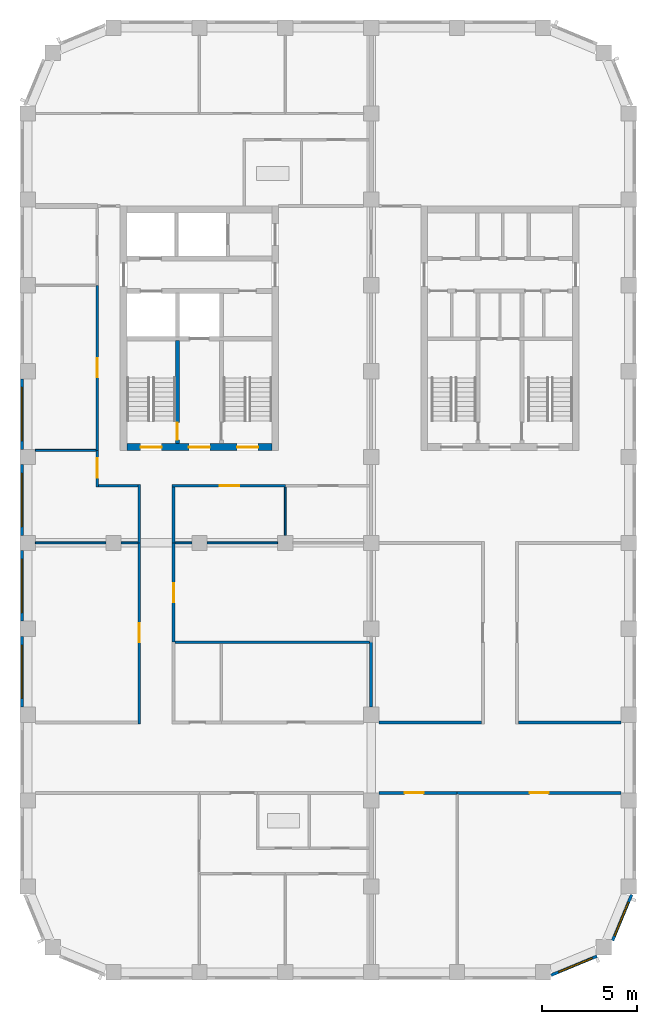
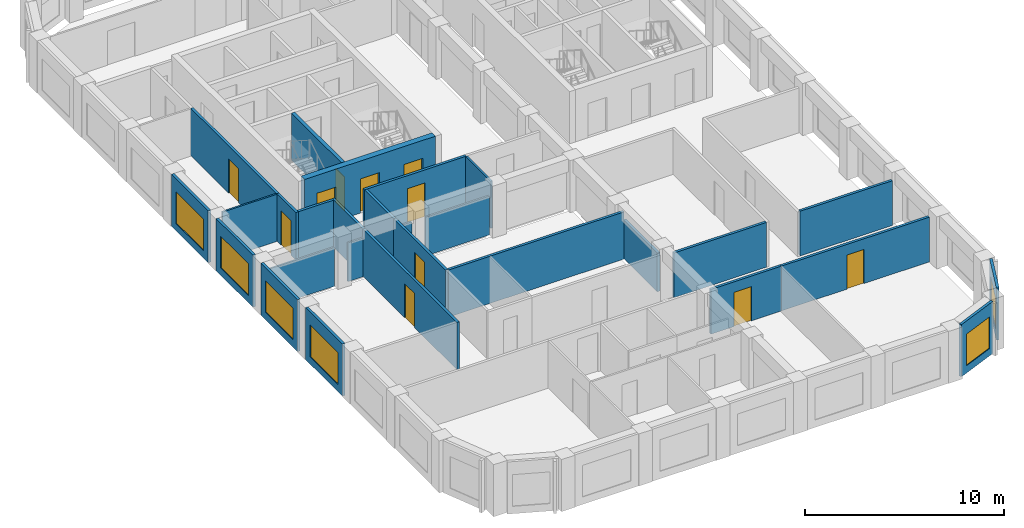
# One storey, part 3 of 9: 28 walls, 11 doors, 6 windows, 17 openings.
"""IFC4 building model written with IfcOpenShell, lengths in metres."""

from ifc_helpers import new_model, si_unit, direction, frame, frame_2d, origin, place, context, subcontext, project, spatial, rectangle, extrude, material, layer, layer_set, type_object, element, fill, save


model = new_model("IFC4")

# Units and contexts
model_context = context("Model", 3, precision=1e-05, world=origin(), true_north=direction((0.0, 1.0)))
body_context = subcontext(model_context, "Body", "Model", "MODEL_VIEW")
ifc_project = project(units=[si_unit("LENGTHUNIT", "METRE"), si_unit("AREAUNIT", "SQUARE_METRE"), si_unit("VOLUMEUNIT", "CUBIC_METRE"), si_unit("PLANEANGLEUNIT", "RADIAN"), si_unit("MASSUNIT", "GRAM", prefix="KILO")], contexts=[model_context])

# Site, building, storey
site_placement = place(None, origin())
site = spatial("IfcSite", under=ifc_project, at=site_placement, CompositionType="ELEMENT")
building_placement = place(site_placement, origin())
building = spatial("IfcBuilding", under=site, at=building_placement, Name="Girih Gate Residences", CompositionType="ELEMENT")
storey_placement = place(building_placement, frame((0.0, 0.0, 189.10009765625)))
storey = spatial("IfcBuildingStorey", under=building, at=storey_placement, Name="L52", CompositionType="ELEMENT", Elevation=189.10009765625)

# Wall, opening, door
ifc_material_1 = material(Name="Gypsum board on steel studs", Category="steel")
ifc_layer_1 = layer(ifc_material_1, 0.14990234375)
ifc_layer_set_1 = layer_set([ifc_layer_1], Name="Compartment wall 150 mm")
wall_type_1 = type_object("IfcWallType", Name="Compartment wall 150 mm", PredefinedType="PARTITIONING", material=ifc_layer_set_1)
wall_1_placement = place(storey_placement, frame((7.64990234375, 22.5, 0.0), z_axis=(0.0, 0.0, 1.0), x_axis=(0.0, -1.0, 0.0)))
wall_1 = element("IfcWall", 1, at=wall_1_placement, inside=storey, type_object=wall_type_1, Name="L52 partition", PredefinedType="PARTITIONING", context=body_context, shape_type="SweptSolid", body=[
    extrude(rectangle(XDim=5.199951171875, YDim=0.14990234375, at=frame_2d((2.60009765625, 0.0))), origin(), (0.0, 0.0, 1.0), 2.89990234375),
])
opening_1_placement = place(wall_1_placement, frame((2.10009765625, 0.0, 0.0)))
opening_1 = element("IfcOpeningElement", 2, at=opening_1_placement, cuts=wall_1, Name="Opening A52-013", PredefinedType="OPENING", context=body_context, shape_type="SweptSolid", body=[
    extrude(rectangle(XDim=1.0, YDim=2.10009765625, at=frame_2d((0.5, 1.050048828125))), frame((0.0, 0.0849609375, 0.0), z_axis=(0.0, -1.0, 0.0), x_axis=(1.0, 0.0, 0.0)), (0.0, 0.0, 1.0), 0.169921875),
])
ifc_material_2 = material(Name="Timber, fire-rated core", Category="wood")
door_type_1 = type_object("IfcDoorType", Name="Amenity room door 1000x2100 FD30S", OperationType="NOTDEFINED", PredefinedType="DOOR", material=ifc_material_2)
door_1_placement = place(opening_1_placement, origin())
door_1 = element("IfcDoor", 3, at=door_1_placement, inside=storey, type_object=door_type_1, Name="Door A52-013", OperationType="SINGLE_SWING_RIGHT", OverallHeight=2.10009765625, OverallWidth=1.0, PredefinedType="DOOR", context=body_context, shape_type="SweptSolid", body=[
    extrude(rectangle(XDim=1.0, YDim=2.10009765625, at=frame_2d((0.5, 1.050048828125))), frame((0.0, 0.02490234375, 0.0), z_axis=(0.0, -1.0, 0.0), x_axis=(1.0, 0.0, 0.0)), (0.0, 0.0, 1.0), 0.050048828125),
])
fill(opening_1, door_1)

# Wall
wall_2_placement = place(storey_placement, frame((7.72509765625, 17.300048828125, 0.0), z_axis=(0.0, 0.0, 1.0), x_axis=(1.0, 0.0, 0.0)))
element("IfcWall", 4, at=wall_2_placement, inside=storey, type_object=wall_type_1, Name="L52 partition", PredefinedType="PARTITIONING", context=body_context, shape_type="SweptSolid", body=[
    extrude(rectangle(XDim=10.199951171875, YDim=0.14990234375, at=frame_2d((5.10009765625, 0.0))), origin(), (0.0, 0.0, 1.0), 2.89990234375),
])

# Wall, opening, door
wall_3_placement = place(storey_placement, frame((22.5, 9.39990234375, 0.0), z_axis=(0.0, 0.0, 1.0), x_axis=(-1.0, 0.0, 0.0)))
wall_3 = element("IfcWall", 5, at=wall_3_placement, inside=storey, type_object=wall_type_1, Name="L52 partition", PredefinedType="PARTITIONING", context=body_context, shape_type="SweptSolid", body=[
    extrude(rectangle(XDim=4.10009765625, YDim=0.14990234375, at=frame_2d((2.050048828125, 0.0))), origin(), (0.0, 0.0, 1.0), 2.75),
])
opening_2_placement = place(wall_3_placement, frame((1.75, 0.0, 0.0)))
opening_2 = element("IfcOpeningElement", 6, at=opening_2_placement, cuts=wall_3, Name="Opening A52-016", PredefinedType="OPENING", context=body_context, shape_type="SweptSolid", body=[
    extrude(rectangle(XDim=1.0, YDim=2.10009765625, at=frame_2d((0.5, 1.050048828125))), frame((0.0, 0.0849609375, 0.0), z_axis=(0.0, -1.0, 0.0), x_axis=(1.0, 0.0, 0.0)), (0.0, 0.0, 1.0), 0.169921875),
])
door_2_placement = place(opening_2_placement, origin())
door_2 = element("IfcDoor", 7, at=door_2_placement, inside=storey, type_object=door_type_1, Name="Door A52-016", OperationType="SINGLE_SWING_RIGHT", OverallHeight=2.10009765625, OverallWidth=1.0, PredefinedType="DOOR", context=body_context, shape_type="SweptSolid", body=[
    extrude(rectangle(XDim=1.0, YDim=2.10009765625, at=frame_2d((0.5, 1.050048828125))), frame((0.0, 0.02490234375, 0.0), z_axis=(0.0, -1.0, 0.0), x_axis=(1.0, 0.0, 0.0)), (0.0, 0.0, 1.0), 0.050048828125),
])
fill(opening_2, door_2)

wall_4_placement = place(storey_placement, frame((31.10009765625, 9.39990234375, 0.0), z_axis=(0.0, 0.0, 1.0), x_axis=(-1.0, 0.0, 0.0)))
wall_4 = element("IfcWall", 8, at=wall_4_placement, inside=storey, type_object=wall_type_1, Name="L52 partition", PredefinedType="PARTITIONING", context=body_context, shape_type="SweptSolid", body=[
    extrude(rectangle(XDim=8.60009765625, YDim=0.14990234375, at=frame_2d((4.300048828125, 0.0))), origin(), (0.0, 0.0, 1.0), 2.75),
])
opening_3_placement = place(wall_4_placement, frame((3.800048828125, 0.0, 0.0)))
opening_3 = element("IfcOpeningElement", 9, at=opening_3_placement, cuts=wall_4, Name="Opening A52-017", PredefinedType="OPENING", context=body_context, shape_type="SweptSolid", body=[
    extrude(rectangle(XDim=1.0, YDim=2.10009765625, at=frame_2d((0.5, 1.050048828125))), frame((0.0, 0.0849609375, 0.0), z_axis=(0.0, -1.0, 0.0), x_axis=(1.0, 0.0, 0.0)), (0.0, 0.0, 1.0), 0.169921875),
])
door_3_placement = place(opening_3_placement, origin())
door_3 = element("IfcDoor", 10, at=door_3_placement, inside=storey, type_object=door_type_1, Name="Door A52-017", OperationType="SINGLE_SWING_RIGHT", OverallHeight=2.10009765625, OverallWidth=1.0, PredefinedType="DOOR", context=body_context, shape_type="SweptSolid", body=[
    extrude(rectangle(XDim=1.0, YDim=2.10009765625, at=frame_2d((0.5, 1.050048828125))), frame((0.0, 0.02490234375, 0.0), z_axis=(0.0, -1.0, 0.0), x_axis=(1.0, 0.0, 0.0)), (0.0, 0.0, 1.0), 0.050048828125),
])
fill(opening_3, door_3)

# Walls
for number, where, z_axis, x_axis, name in (
    (11, (18.39990234375, 13.10009765625, 0.0), (0.0, 0.0, 1.0), (1.0, 0.0, 0.0), "L52 partition"),
    (12, (25.72509765625, 13.10009765625, 0.0), (0.0, 0.0, 1.0), (1.0, 0.0, 0.0), "L52 partition"),
):
    element("IfcWall", number, at=place(storey_placement, frame(where, z_axis=z_axis, x_axis=x_axis)), inside=storey, type_object=wall_type_1, Name=name, PredefinedType="PARTITIONING", context=body_context, shape_type="SweptSolid", body=[
        extrude(rectangle(XDim=5.375, YDim=0.14990234375, at=frame_2d((2.6875, 0.0))), origin(), (0.0, 0.0, 1.0), 2.75),
    ])
wall_5_placement = place(storey_placement, frame((18.0, 13.89990234375, 0.0), z_axis=(0.0, 0.0, 1.0), x_axis=(0.0, 1.0, 0.0)))
element("IfcWall", 13, at=wall_5_placement, inside=storey, type_object=wall_type_1, Name="L52 partition", PredefinedType="PARTITIONING", context=body_context, shape_type="SweptSolid", body=[
    extrude(rectangle(XDim=3.400146484375, YDim=0.14990234375, at=frame_2d((1.7001953125, 0.0))), origin(), (0.0, 0.0, 1.0), 2.3798828125),
])
wall_6_placement = place(storey_placement, frame((5.85009765625, 22.5, 0.0), z_axis=(0.0, 0.0, 1.0), x_axis=(0.0, 1.0, 0.0)))
element("IfcWall", 14, at=wall_6_placement, inside=storey, type_object=wall_type_1, Name="L52 partition", PredefinedType="PARTITIONING", context=body_context, shape_type="SweptSolid", body=[
    extrude(rectangle(XDim=3.074951171875, YDim=0.14990234375, at=frame_2d((1.53759765625, 0.0))), origin(), (0.0, 0.0, 1.0), 2.89990234375),
])
wall_7_placement = place(storey_placement, frame((3.72509765625, 25.5, 0.0), z_axis=(0.0, 0.0, 1.0), x_axis=(1.0, 0.0, 0.0)))
element("IfcWall", 15, at=wall_7_placement, inside=storey, type_object=wall_type_1, Name="L52 partition", PredefinedType="PARTITIONING", context=body_context, shape_type="SweptSolid", body=[
    extrude(rectangle(XDim=2.0498046875, YDim=0.14990234375, at=frame_2d((1.02490234375, 0.0))), origin(), (0.0, 0.0, 1.0), 2.89990234375),
])

# Wall, opening, door
wall_8_placement = place(storey_placement, frame((3.64990234375, 25.425048828125, 0.0), z_axis=(0.0, 0.0, 1.0), x_axis=(0.0, 1.0, 0.0)))
wall_8 = element("IfcWall", 16, at=wall_8_placement, inside=storey, type_object=wall_type_1, Name="L52 partition", PredefinedType="PARTITIONING", context=body_context, shape_type="SweptSolid", body=[
    extrude(rectangle(XDim=1.925048828125, YDim=0.14990234375, at=frame_2d((0.96240234375, 0.0))), origin(), (0.0, 0.0, 1.0), 2.89990234375),
])
opening_4_placement = place(wall_8_placement, frame((0.5, 0.0, 0.0)))
opening_4 = element("IfcOpeningElement", 17, at=opening_4_placement, cuts=wall_8, Name="Opening A52-022", PredefinedType="OPENING", context=body_context, shape_type="SweptSolid", body=[
    extrude(rectangle(XDim=1.0, YDim=2.10009765625, at=frame_2d((0.5, 1.050048828125))), frame((0.0, 0.0849609375, 0.0), z_axis=(0.0, -1.0, 0.0), x_axis=(1.0, 0.0, 0.0)), (0.0, 0.0, 1.0), 0.169921875),
])
door_4_placement = place(opening_4_placement, origin())
door_4 = element("IfcDoor", 18, at=door_4_placement, inside=storey, type_object=door_type_1, Name="Door A52-022", OperationType="SINGLE_SWING_RIGHT", OverallHeight=2.10009765625, OverallWidth=1.0, PredefinedType="DOOR", context=body_context, shape_type="SweptSolid", body=[
    extrude(rectangle(XDim=1.0, YDim=2.10009765625, at=frame_2d((0.5, 1.050048828125))), frame((0.0, 0.02490234375, 0.0), z_axis=(0.0, -1.0, 0.0), x_axis=(1.0, 0.0, 0.0)), (0.0, 0.0, 1.0), 0.050048828125),
])
fill(opening_4, door_4)

wall_9_placement = place(storey_placement, frame((13.5, 25.5, 0.0), z_axis=(0.0, 0.0, 1.0), x_axis=(-1.0, 0.0, 0.0)))
wall_9 = element("IfcWall", 19, at=wall_9_placement, inside=storey, type_object=wall_type_1, Name="L52 partition", PredefinedType="PARTITIONING", context=body_context, shape_type="SweptSolid", body=[
    extrude(rectangle(XDim=5.925048828125, YDim=0.14990234375, at=frame_2d((2.96240234375, 0.0))), origin(), (0.0, 0.0, 1.0), 2.89990234375),
])
opening_5_placement = place(wall_9_placement, frame((2.425048828125, 0.0, 0.0)))
opening_5 = element("IfcOpeningElement", 20, at=opening_5_placement, cuts=wall_9, Name="Opening A52-023", PredefinedType="OPENING", context=body_context, shape_type="SweptSolid", body=[
    extrude(rectangle(XDim=1.0, YDim=2.10009765625, at=frame_2d((0.5, 1.050048828125))), frame((0.0, 0.0849609375, 0.0), z_axis=(0.0, -1.0, 0.0), x_axis=(1.0, 0.0, 0.0)), (0.0, 0.0, 1.0), 0.169921875),
])
door_5_placement = place(opening_5_placement, origin())
door_5 = element("IfcDoor", 21, at=door_5_placement, inside=storey, type_object=door_type_1, Name="Door A52-023", OperationType="SINGLE_SWING_LEFT", OverallHeight=2.10009765625, OverallWidth=1.0, PredefinedType="DOOR", context=body_context, shape_type="SweptSolid", body=[
    extrude(rectangle(XDim=1.0, YDim=2.10009765625, at=frame_2d((0.5, 1.050048828125))), frame((0.0, 0.02490234375, 0.0), z_axis=(0.0, -1.0, 0.0), x_axis=(1.0, 0.0, 0.0)), (0.0, 0.0, 1.0), 0.050048828125),
])
fill(opening_5, door_5)

# Wall
wall_10_placement = place(storey_placement, frame((7.64990234375, 22.5, 0.0), z_axis=(0.0, 0.0, 1.0), x_axis=(0.0, 1.0, 0.0)))
element("IfcWall", 22, at=wall_10_placement, inside=storey, type_object=wall_type_1, Name="L52 partition", PredefinedType="PARTITIONING", context=body_context, shape_type="SweptSolid", body=[
    extrude(rectangle(XDim=2.925048828125, YDim=0.14990234375, at=frame_2d((1.46240234375, 0.0))), origin(), (0.0, 0.0, 1.0), 2.89990234375),
])

# Wall, opening, door
wall_11_placement = place(storey_placement, frame((3.64990234375, 27.35009765625, 0.0), z_axis=(0.0, 0.0, 1.0), x_axis=(0.0, 1.0, 0.0)))
wall_11 = element("IfcWall", 23, at=wall_11_placement, inside=storey, type_object=wall_type_1, Name="L52 partition", PredefinedType="PARTITIONING", context=body_context, shape_type="SweptSolid", body=[
    extrude(rectangle(XDim=8.64990234375, YDim=0.14990234375, at=frame_2d((4.324951171875, 0.0))), origin(), (0.0, 0.0, 1.0), 2.89990234375),
])
opening_6_placement = place(wall_11_placement, frame((3.824951171875, 0.0, 0.0)))
opening_6 = element("IfcOpeningElement", 24, at=opening_6_placement, cuts=wall_11, Name="Opening A52-025", PredefinedType="OPENING", context=body_context, shape_type="SweptSolid", body=[
    extrude(rectangle(XDim=1.0, YDim=2.10009765625, at=frame_2d((0.5, 1.050048828125))), frame((0.0, 0.0849609375, 0.0), z_axis=(0.0, -1.0, 0.0), x_axis=(1.0, 0.0, 0.0)), (0.0, 0.0, 1.0), 0.169921875),
])
door_6_placement = place(opening_6_placement, origin())
door_6 = element("IfcDoor", 25, at=door_6_placement, inside=storey, type_object=door_type_1, Name="Door A52-025", OperationType="SINGLE_SWING_RIGHT", OverallHeight=2.10009765625, OverallWidth=1.0, PredefinedType="DOOR", context=body_context, shape_type="SweptSolid", body=[
    extrude(rectangle(XDim=1.0, YDim=2.10009765625, at=frame_2d((0.5, 1.050048828125))), frame((0.0, 0.02490234375, 0.0), z_axis=(0.0, -1.0, 0.0), x_axis=(1.0, 0.0, 0.0)), (0.0, 0.0, 1.0), 0.050048828125),
])
fill(opening_6, door_6)

wall_12_placement = place(storey_placement, frame((5.85009765625, 13.02490234375, 0.0), z_axis=(0.0, 0.0, 1.0), x_axis=(0.0, 1.0, 0.0)))
wall_12 = element("IfcWall", 26, at=wall_12_placement, inside=storey, type_object=wall_type_1, Name="L52 partition", PredefinedType="PARTITIONING", context=body_context, shape_type="SweptSolid", body=[
    extrude(rectangle(XDim=9.47509765625, YDim=0.14990234375, at=frame_2d((4.737548828125, 0.0))), origin(), (0.0, 0.0, 1.0), 2.89990234375),
])
opening_7_placement = place(wall_12_placement, frame((4.27490234375, 0.0, 0.0)))
opening_7 = element("IfcOpeningElement", 27, at=opening_7_placement, cuts=wall_12, Name="Opening A52-027", PredefinedType="OPENING", context=body_context, shape_type="SweptSolid", body=[
    extrude(rectangle(XDim=1.0, YDim=2.10009765625, at=frame_2d((0.5, 1.050048828125))), frame((0.0, 0.0849609375, 0.0), z_axis=(0.0, -1.0, 0.0), x_axis=(1.0, 0.0, 0.0)), (0.0, 0.0, 1.0), 0.169921875),
])
door_7_placement = place(opening_7_placement, origin())
door_7 = element("IfcDoor", 28, at=door_7_placement, inside=storey, type_object=door_type_1, Name="Door A52-027", OperationType="SINGLE_SWING_RIGHT", OverallHeight=2.10009765625, OverallWidth=1.0, PredefinedType="DOOR", context=body_context, shape_type="SweptSolid", body=[
    extrude(rectangle(XDim=1.0, YDim=2.10009765625, at=frame_2d((0.5, 1.050048828125))), frame((0.0, 0.02490234375, 0.0), z_axis=(0.0, -1.0, 0.0), x_axis=(1.0, 0.0, 0.0)), (0.0, 0.0, 1.0), 0.050048828125),
])
fill(opening_7, door_7)

# Wall, openings, doors
ifc_material_3 = material(Name="Concrete C60/75", Category="concrete")
ifc_layer_2 = layer(ifc_material_3, 0.35009765625)
ifc_layer_set_2 = layer_set([ifc_layer_2], Name="Core wall RC 350 Concrete C60/75")
wall_type_2 = type_object("IfcWallType", Name="Core wall RC 350 Concrete C60/75", PredefinedType="SOLIDWALL", material=ifc_layer_set_2)
wall_13_placement = place(storey_placement, frame((5.199951171875, 27.52490234375, 0.0), z_axis=(0.0, 0.0, 1.0), x_axis=(1.0, 0.0, 0.0)))
wall_13 = element("IfcWall", 29, at=wall_13_placement, inside=storey, type_object=wall_type_2, Name="Core wall W-S L52", PredefinedType="SOLIDWALL", context=body_context, shape_type="SweptSolid", body=[
    extrude(rectangle(XDim=7.60009765625, YDim=0.35009765625, at=frame_2d((3.800048828125, 0.0))), origin(), (0.0, 0.0, 1.0), 3.199951171875),
])
opening_8_placement = place(wall_13_placement, frame((0.72509765625, 0.0, 0.0)))
opening_8 = element("IfcOpeningElement", 30, at=opening_8_placement, cuts=wall_13, Name="Opening D-L52-W-008", PredefinedType="OPENING", context=body_context, shape_type="SweptSolid", body=[
    extrude(rectangle(XDim=1.10009765625, YDim=2.10009765625, at=frame_2d((0.550048828125, 1.050048828125))), frame((0.0, 0.18505859375, 0.0), z_axis=(0.0, -1.0, 0.0), x_axis=(1.0, 0.0, 0.0)), (0.0, 0.0, 1.0), 0.3701171875),
])
opening_9_placement = place(wall_13_placement, frame((3.25, 0.0, 0.0)))
opening_9 = element("IfcOpeningElement", 31, at=opening_9_placement, cuts=wall_13, Name="Opening D-L52-W-009", PredefinedType="OPENING", context=body_context, shape_type="SweptSolid", body=[
    extrude(rectangle(XDim=1.10009765625, YDim=2.10009765625, at=frame_2d((0.550048828125, 1.050048828125))), frame((0.0, 0.18505859375, 0.0), z_axis=(0.0, -1.0, 0.0), x_axis=(1.0, 0.0, 0.0)), (0.0, 0.0, 1.0), 0.3701171875),
])
opening_10_placement = place(wall_13_placement, frame((5.77490234375, 0.0, 0.0)))
opening_10 = element("IfcOpeningElement", 32, at=opening_10_placement, cuts=wall_13, Name="Opening D-L52-W-010", PredefinedType="OPENING", context=body_context, shape_type="SweptSolid", body=[
    extrude(rectangle(XDim=1.10009765625, YDim=2.10009765625, at=frame_2d((0.550048828125, 1.050048828125))), frame((0.0, 0.18505859375, 0.0), z_axis=(0.0, -1.0, 0.0), x_axis=(1.0, 0.0, 0.0)), (0.0, 0.0, 1.0), 0.3701171875),
])
ifc_material_4 = material(Name="Painted steel, fire-resisting", Category="steel")
door_type_2 = type_object("IfcDoorType", Name="Fire door 1100x2100", OperationType="SINGLE_SWING_LEFT", PredefinedType="DOOR", material=ifc_material_4)
door_8_placement = place(opening_8_placement, origin())
door_8 = element("IfcDoor", 33, at=door_8_placement, inside=storey, type_object=door_type_2, Name="L52 W core door sta-out", OperationType="SINGLE_SWING_LEFT", OverallHeight=2.10009765625, OverallWidth=1.10009765625, PredefinedType="DOOR", context=body_context, shape_type="SweptSolid", body=[
    extrude(rectangle(XDim=1.10009765625, YDim=2.10009765625, at=frame_2d((0.550048828125, 1.050048828125))), frame((0.0, 0.02490234375, 0.0), z_axis=(0.0, -1.0, 0.0), x_axis=(1.0, 0.0, 0.0)), (0.0, 0.0, 1.0), 0.050048828125),
])
fill(opening_8, door_8)
door_9_placement = place(opening_9_placement, origin())
door_9 = element("IfcDoor", 34, at=door_9_placement, inside=storey, type_object=door_type_2, Name="L52 W core door ffl-out", OperationType="SINGLE_SWING_LEFT", OverallHeight=2.10009765625, OverallWidth=1.10009765625, PredefinedType="DOOR", context=body_context, shape_type="SweptSolid", body=[
    extrude(rectangle(XDim=1.10009765625, YDim=2.10009765625, at=frame_2d((0.550048828125, 1.050048828125))), frame((0.0, 0.02490234375, 0.0), z_axis=(0.0, -1.0, 0.0), x_axis=(1.0, 0.0, 0.0)), (0.0, 0.0, 1.0), 0.050048828125),
])
fill(opening_9, door_9)
door_10_placement = place(opening_10_placement, origin())
door_10 = element("IfcDoor", 35, at=door_10_placement, inside=storey, type_object=door_type_2, Name="L52 W core door stb-out", OperationType="SINGLE_SWING_LEFT", OverallHeight=2.10009765625, OverallWidth=1.10009765625, PredefinedType="DOOR", context=body_context, shape_type="SweptSolid", body=[
    extrude(rectangle(XDim=1.10009765625, YDim=2.10009765625, at=frame_2d((0.550048828125, 1.050048828125))), frame((0.0, 0.02490234375, 0.0), z_axis=(0.0, -1.0, 0.0), x_axis=(1.0, 0.0, 0.0)), (0.0, 0.0, 1.0), 0.050048828125),
])
fill(opening_10, door_10)

# Walls
ifc_layer_3 = layer(ifc_material_1, 0.10009765625)
ifc_layer_set_3 = layer_set([ifc_layer_3], Name="Partition 100 mm")
wall_type_3 = type_object("IfcWallType", Name="Partition 100 mm", PredefinedType="PARTITIONING", material=ifc_layer_set_3)
wall_14_placement = place(storey_placement, frame((7.72509765625, 22.5, 0.0), z_axis=(0.0, 0.0, 1.0), x_axis=(1.0, 0.0, 0.0)))
element("IfcWall", 36, at=wall_14_placement, inside=storey, type_object=wall_type_3, Name="L52 partition", PredefinedType="PARTITIONING", context=body_context, shape_type="SweptSolid", body=[
    extrude(rectangle(XDim=0.875, YDim=0.10009765625, at=frame_2d((0.4375, 0.0))), origin(), (0.0, 0.0, 1.0), 2.3798828125),
])
wall_15_placement = place(storey_placement, frame((9.39990234375, 22.5, 0.0), z_axis=(0.0, 0.0, 1.0), x_axis=(1.0, 0.0, 0.0)))
element("IfcWall", 37, at=wall_15_placement, inside=storey, type_object=wall_type_3, Name="L52 partition", PredefinedType="PARTITIONING", context=body_context, shape_type="SweptSolid", body=[
    extrude(rectangle(XDim=3.7001953125, YDim=0.10009765625, at=frame_2d((1.85009765625, 0.0))), origin(), (0.0, 0.0, 1.0), 2.3798828125),
])
wall_16_placement = place(storey_placement, frame((0.39990234375, 27.35009765625, 0.0), z_axis=(0.0, 0.0, 1.0), x_axis=(1.0, 0.0, 0.0)))
element("IfcWall", 38, at=wall_16_placement, inside=storey, type_object=wall_type_3, Name="L52 partition", PredefinedType="PARTITIONING", context=body_context, shape_type="SweptSolid", body=[
    extrude(rectangle(XDim=3.175048828125, YDim=0.10009765625, at=frame_2d((1.58740234375, 0.0))), origin(), (0.0, 0.0, 1.0), 2.89990234375),
])
wall_17_placement = place(storey_placement, frame((4.89990234375, 22.5, 0.0), z_axis=(0.0, 0.0, 1.0), x_axis=(1.0, 0.0, 0.0)))
element("IfcWall", 39, at=wall_17_placement, inside=storey, type_object=wall_type_3, Name="L52 partition", PredefinedType="PARTITIONING", context=body_context, shape_type="SweptSolid", body=[
    extrude(rectangle(XDim=0.875, YDim=0.10009765625, at=frame_2d((0.4375, 0.0))), origin(), (0.0, 0.0, 1.0), 2.3798828125),
])
wall_18_placement = place(storey_placement, frame((0.39990234375, 22.5, 0.0), z_axis=(0.0, 0.0, 1.0), x_axis=(1.0, 0.0, 0.0)))
element("IfcWall", 40, at=wall_18_placement, inside=storey, type_object=wall_type_3, Name="L52 partition", PredefinedType="PARTITIONING", context=body_context, shape_type="SweptSolid", body=[
    extrude(rectangle(XDim=3.7001953125, YDim=0.10009765625, at=frame_2d((1.85009765625, 0.0))), origin(), (0.0, 0.0, 1.0), 2.3798828125),
])
wall_19_placement = place(storey_placement, frame((13.5, 22.89990234375, 0.0), z_axis=(0.0, 0.0, 1.0), x_axis=(0.0, 1.0, 0.0)))
element("IfcWall", 41, at=wall_19_placement, inside=storey, type_object=wall_type_3, Name="L52 partition", PredefinedType="PARTITIONING", context=body_context, shape_type="SweptSolid", body=[
    extrude(rectangle(XDim=2.525146484375, YDim=0.10009765625, at=frame_2d((1.2626953125, 0.0))), origin(), (0.0, 0.0, 1.0), 2.89990234375),
])

# Wall, opening, window
ifc_material_5 = material(Name="Precast concrete C50/60", Category="concrete")
ifc_layer_4 = layer(ifc_material_5, 0.050048828125, Name="Outer leaf")
ifc_material_6 = material(Name="Rigid PIR insulation")
ifc_layer_5 = layer(ifc_material_6, 0.06005859375, Name="Insulation")
ifc_material_7 = material(Name="Precast concrete C40/50", Category="concrete")
ifc_layer_6 = layer(ifc_material_7, 0.0400390625, Name="Inner leaf")
ifc_layer_set_4 = layer_set([ifc_layer_4, ifc_layer_5, ifc_layer_6], Name="Precast concrete C50/60 external wall 150")
wall_type_4 = type_object("IfcWallType", Name="Precast concrete C50/60 external wall 150", PredefinedType="SOLIDWALL", material=ifc_layer_set_4)
wall_20_placement = place(storey_placement, frame((29.8330078125, 0.8486328125, 0.0), z_axis=(0.0, 0.0, 1.0), x_axis=(-0.923885342263, -0.382669406082, 0.0)))
wall_20 = element("IfcWall", 42, at=wall_20_placement, inside=storey, type_object=wall_type_4, Name="External wall SE0270_0000.0", PredefinedType="SOLIDWALL", context=body_context, shape_type="SweptSolid", body=[
    extrude(rectangle(XDim=2.602294921875, YDim=0.14990234375, at=frame_2d((1.30126953125, 0.0))), origin(), (0.0, 0.0, 1.0), 3.199951171875),
])
opening_11_placement = place(wall_20_placement, frame((0.27001953125, 0.0, 0.449951171875)))
opening_11 = element("IfcOpeningElement", 43, at=opening_11_placement, cuts=wall_20, Name="Opening W-2G", PredefinedType="OPENING", context=body_context, shape_type="SweptSolid", body=[
    extrude(rectangle(XDim=1.89990234375, YDim=1.949951171875, at=frame_2d((0.949951171875, 0.97509765625))), frame((0.0, 0.0849609375, 0.0), z_axis=(0.0, -1.0, 0.0), x_axis=(1.0, 0.0, 0.0)), (0.0, 0.0, 1.0), 0.169921875),
])
ifc_material_8 = material(Name="Double glazing in aluminium frame", Category="aluminium")
window_type_1 = type_object("IfcWindowType", Name="Window W-2G 1900x1950", PartitioningType="SINGLE_PANEL", PredefinedType="WINDOW", material=ifc_material_8)
window_1_placement = place(opening_11_placement, origin())
window_1 = element("IfcWindow", 44, at=window_1_placement, inside=storey, type_object=window_type_1, Name="Window W-2G SE0270_0000.0", OverallHeight=1.949951171875, OverallWidth=1.89990234375, PartitioningType="SINGLE_PANEL", PredefinedType="WINDOW", context=body_context, shape_type="SweptSolid", body=[
    extrude(rectangle(XDim=1.89990234375, YDim=1.949951171875, at=frame_2d((0.949951171875, 0.97509765625))), frame((0.0, 0.030029296875, 0.0), z_axis=(0.0, -1.0, 0.0), x_axis=(1.0, 0.0, 0.0)), (0.0, 0.0, 1.0), 0.06005859375),
])
fill(opening_11, window_1)

wall_21_placement = place(storey_placement, frame((31.647216796875, 4.0712890625, 0.0), z_axis=(0.0, 0.0, 1.0), x_axis=(-0.382669406082, -0.923885342263, 0.0)))
wall_21 = element("IfcWall", 45, at=wall_21_placement, inside=storey, type_object=wall_type_4, Name="External wall SE0302_0013.0", PredefinedType="SOLIDWALL", context=body_context, shape_type="SweptSolid", body=[
    extrude(rectangle(XDim=2.602294921875, YDim=0.14990234375, at=frame_2d((1.30126953125, 0.0))), origin(), (0.0, 0.0, 1.0), 3.199951171875),
])
opening_12_placement = place(wall_21_placement, frame((0.432373046875, 0.0, 0.449951171875)))
opening_12 = element("IfcOpeningElement", 46, at=opening_12_placement, cuts=wall_21, Name="Opening W-2G", PredefinedType="OPENING", context=body_context, shape_type="SweptSolid", body=[
    extrude(rectangle(XDim=1.89990234375, YDim=1.949951171875, at=frame_2d((0.949951171875, 0.97509765625))), frame((0.0, 0.0849609375, 0.0), z_axis=(0.0, -1.0, 0.0), x_axis=(1.0, 0.0, 0.0)), (0.0, 0.0, 1.0), 0.169921875),
])
window_2_placement = place(opening_12_placement, origin())
window_2 = element("IfcWindow", 47, at=window_2_placement, inside=storey, type_object=window_type_1, Name="Window W-2G SE0302_0013.0", OverallHeight=1.949951171875, OverallWidth=1.89990234375, PartitioningType="SINGLE_PANEL", PredefinedType="WINDOW", context=body_context, shape_type="SweptSolid", body=[
    extrude(rectangle(XDim=1.89990234375, YDim=1.949951171875, at=frame_2d((0.949951171875, 0.97509765625))), frame((0.0, 0.030029296875, 0.0), z_axis=(0.0, -1.0, 0.0), x_axis=(1.0, 0.0, 0.0)), (0.0, 0.0, 1.0), 0.06005859375),
])
fill(opening_12, window_2)

wall_22_placement = place(storey_placement, frame((-0.300048828125, 27.39990234375, 0.0), z_axis=(0.0, 0.0, 1.0), x_axis=(0.0, 1.0, 0.0)))
wall_22 = element("IfcWall", 48, at=wall_22_placement, inside=storey, type_object=wall_type_4, Name="External wall W0000_0450.3", PredefinedType="SOLIDWALL", context=body_context, shape_type="SweptSolid", body=[
    extrude(rectangle(XDim=3.7001953125, YDim=0.14990234375, at=frame_2d((1.85009765625, 0.0))), origin(), (0.0, 0.0, 1.0), 3.199951171875),
])
opening_13_placement = place(wall_22_placement, frame((0.449951171875, 0.0, 0.449951171875)))
opening_13 = element("IfcOpeningElement", 49, at=opening_13_placement, cuts=wall_22, Name="Opening W-1B", PredefinedType="OPENING", context=body_context, shape_type="SweptSolid", body=[
    extrude(rectangle(XDim=2.800048828125, YDim=1.949951171875, at=frame_2d((1.39990234375, 0.97509765625))), frame((0.0, 0.0849609375, 0.0), z_axis=(0.0, -1.0, 0.0), x_axis=(1.0, 0.0, 0.0)), (0.0, 0.0, 1.0), 0.169921875),
])
window_type_2 = type_object("IfcWindowType", Name="Window W-1B 2800x1950", PartitioningType="SINGLE_PANEL", PredefinedType="WINDOW", material=ifc_material_8)
window_3_placement = place(opening_13_placement, origin())
window_3 = element("IfcWindow", 50, at=window_3_placement, inside=storey, type_object=window_type_2, Name="Window W-1B W0000_0450.3", OverallHeight=1.949951171875, OverallWidth=2.800048828125, PartitioningType="SINGLE_PANEL", PredefinedType="WINDOW", context=body_context, shape_type="SweptSolid", body=[
    extrude(rectangle(XDim=2.800048828125, YDim=1.949951171875, at=frame_2d((1.39990234375, 0.97509765625))), frame((0.0, 0.030029296875, 0.0), z_axis=(0.0, -1.0, 0.0), x_axis=(1.0, 0.0, 0.0)), (0.0, 0.0, 1.0), 0.06005859375),
])
fill(opening_13, window_3)

wall_23_placement = place(storey_placement, frame((-0.300048828125, 22.89990234375, 0.0), z_axis=(0.0, 0.0, 1.0), x_axis=(0.0, 1.0, 0.0)))
wall_23 = element("IfcWall", 51, at=wall_23_placement, inside=storey, type_object=wall_type_4, Name="External wall W0000_0450.4", PredefinedType="SOLIDWALL", context=body_context, shape_type="SweptSolid", body=[
    extrude(rectangle(XDim=3.7001953125, YDim=0.14990234375, at=frame_2d((1.85009765625, 0.0))), origin(), (0.0, 0.0, 1.0), 3.199951171875),
])
opening_14_placement = place(wall_23_placement, frame((0.449951171875, 0.0, 0.449951171875)))
opening_14 = element("IfcOpeningElement", 52, at=opening_14_placement, cuts=wall_23, Name="Opening W-1B", PredefinedType="OPENING", context=body_context, shape_type="SweptSolid", body=[
    extrude(rectangle(XDim=2.800048828125, YDim=1.949951171875, at=frame_2d((1.39990234375, 0.97509765625))), frame((0.0, 0.0849609375, 0.0), z_axis=(0.0, -1.0, 0.0), x_axis=(1.0, 0.0, 0.0)), (0.0, 0.0, 1.0), 0.169921875),
])
window_4_placement = place(opening_14_placement, origin())
window_4 = element("IfcWindow", 53, at=window_4_placement, inside=storey, type_object=window_type_2, Name="Window W-1B W0000_0450.4", OverallHeight=1.949951171875, OverallWidth=2.800048828125, PartitioningType="SINGLE_PANEL", PredefinedType="WINDOW", context=body_context, shape_type="SweptSolid", body=[
    extrude(rectangle(XDim=2.800048828125, YDim=1.949951171875, at=frame_2d((1.39990234375, 0.97509765625))), frame((0.0, 0.030029296875, 0.0), z_axis=(0.0, -1.0, 0.0), x_axis=(1.0, 0.0, 0.0)), (0.0, 0.0, 1.0), 0.06005859375),
])
fill(opening_14, window_4)

wall_24_placement = place(storey_placement, frame((-0.300048828125, 18.39990234375, 0.0), z_axis=(0.0, 0.0, 1.0), x_axis=(0.0, 1.0, 0.0)))
wall_24 = element("IfcWall", 54, at=wall_24_placement, inside=storey, type_object=wall_type_4, Name="External wall W0000_0450.5", PredefinedType="SOLIDWALL", context=body_context, shape_type="SweptSolid", body=[
    extrude(rectangle(XDim=3.7001953125, YDim=0.14990234375, at=frame_2d((1.85009765625, 0.0))), origin(), (0.0, 0.0, 1.0), 3.199951171875),
])
opening_15_placement = place(wall_24_placement, frame((0.449951171875, 0.0, 0.449951171875)))
opening_15 = element("IfcOpeningElement", 55, at=opening_15_placement, cuts=wall_24, Name="Opening W-1B", PredefinedType="OPENING", context=body_context, shape_type="SweptSolid", body=[
    extrude(rectangle(XDim=2.800048828125, YDim=1.949951171875, at=frame_2d((1.39990234375, 0.97509765625))), frame((0.0, 0.0849609375, 0.0), z_axis=(0.0, -1.0, 0.0), x_axis=(1.0, 0.0, 0.0)), (0.0, 0.0, 1.0), 0.169921875),
])
window_5_placement = place(opening_15_placement, origin())
window_5 = element("IfcWindow", 56, at=window_5_placement, inside=storey, type_object=window_type_2, Name="Window W-1B W0000_0450.5", OverallHeight=1.949951171875, OverallWidth=2.800048828125, PartitioningType="SINGLE_PANEL", PredefinedType="WINDOW", context=body_context, shape_type="SweptSolid", body=[
    extrude(rectangle(XDim=2.800048828125, YDim=1.949951171875, at=frame_2d((1.39990234375, 0.97509765625))), frame((0.0, 0.030029296875, 0.0), z_axis=(0.0, -1.0, 0.0), x_axis=(1.0, 0.0, 0.0)), (0.0, 0.0, 1.0), 0.06005859375),
])
fill(opening_15, window_5)

wall_25_placement = place(storey_placement, frame((-0.300048828125, 13.89990234375, 0.0), z_axis=(0.0, 0.0, 1.0), x_axis=(0.0, 1.0, 0.0)))
wall_25 = element("IfcWall", 57, at=wall_25_placement, inside=storey, type_object=wall_type_4, Name="External wall W0000_0450.6", PredefinedType="SOLIDWALL", context=body_context, shape_type="SweptSolid", body=[
    extrude(rectangle(XDim=3.7001953125, YDim=0.14990234375, at=frame_2d((1.85009765625, 0.0))), origin(), (0.0, 0.0, 1.0), 3.199951171875),
])
opening_16_placement = place(wall_25_placement, frame((0.449951171875, 0.0, 0.449951171875)))
opening_16 = element("IfcOpeningElement", 58, at=opening_16_placement, cuts=wall_25, Name="Opening W-1B", PredefinedType="OPENING", context=body_context, shape_type="SweptSolid", body=[
    extrude(rectangle(XDim=2.800048828125, YDim=1.949951171875, at=frame_2d((1.39990234375, 0.97509765625))), frame((0.0, 0.0849609375, 0.0), z_axis=(0.0, -1.0, 0.0), x_axis=(1.0, 0.0, 0.0)), (0.0, 0.0, 1.0), 0.169921875),
])
window_6_placement = place(opening_16_placement, origin())
window_6 = element("IfcWindow", 59, at=window_6_placement, inside=storey, type_object=window_type_2, Name="Window W-1B W0000_0450.6", OverallHeight=1.949951171875, OverallWidth=2.800048828125, PartitioningType="SINGLE_PANEL", PredefinedType="WINDOW", context=body_context, shape_type="SweptSolid", body=[
    extrude(rectangle(XDim=2.800048828125, YDim=1.949951171875, at=frame_2d((1.39990234375, 0.97509765625))), frame((0.0, 0.030029296875, 0.0), z_axis=(0.0, -1.0, 0.0), x_axis=(1.0, 0.0, 0.0)), (0.0, 0.0, 1.0), 0.06005859375),
])
fill(opening_16, window_6)

# Wall, opening, door
ifc_material_9 = material(Name="Concrete C40/50", Category="concrete")
ifc_layer_7 = layer(ifc_material_9, 0.199951171875)
ifc_layer_set_5 = layer_set([ifc_layer_7], Name="Shaft wall 200")
wall_type_5 = type_object("IfcWallType", Name="Shaft wall 200", PredefinedType="SOLIDWALL", material=ifc_layer_set_5)
wall_26_placement = place(storey_placement, frame((7.85009765625, 27.699951171875, 0.0), z_axis=(0.0, 0.0, 1.0), x_axis=(0.0, 1.0, 0.0)))
wall_26 = element("IfcWall", 60, at=wall_26_placement, inside=storey, type_object=wall_type_5, Name="L52 W core wall V1a", PredefinedType="SOLIDWALL", context=body_context, shape_type="SweptSolid", body=[
    extrude(rectangle(XDim=5.400146484375, YDim=0.199951171875, at=frame_2d((2.7001953125, 0.0))), origin(), (0.0, 0.0, 1.0), 2.89990234375),
])
opening_17_placement = place(wall_26_placement, frame((0.199951171875, 0.0, 0.0)))
opening_17 = element("IfcOpeningElement", 61, at=opening_17_placement, cuts=wall_26, Name="Opening D-L52-W-001", PredefinedType="OPENING", context=body_context, shape_type="SweptSolid", body=[
    extrude(rectangle(XDim=0.89990234375, YDim=2.10009765625, at=frame_2d((0.449951171875, 1.050048828125))), frame((0.0, 0.10986328125, 0.0), z_axis=(0.0, -1.0, 0.0), x_axis=(1.0, 0.0, 0.0)), (0.0, 0.0, 1.0), 0.219970703125),
])
door_type_3 = type_object("IfcDoorType", Name="Fire door 900x2100", OperationType="SINGLE_SWING_LEFT", PredefinedType="DOOR", material=ifc_material_4)
door_11_placement = place(opening_17_placement, origin())
door_11 = element("IfcDoor", 62, at=door_11_placement, inside=storey, type_object=door_type_3, Name="L52 W door stair 1 to firefighting lobby", OperationType="SINGLE_SWING_LEFT", OverallHeight=2.10009765625, OverallWidth=0.89990234375, PredefinedType="DOOR", context=body_context, shape_type="SweptSolid", body=[
    extrude(rectangle(XDim=0.89990234375, YDim=2.10009765625, at=frame_2d((0.449951171875, 1.050048828125))), frame((0.0, 0.02490234375, 0.0), z_axis=(0.0, -1.0, 0.0), x_axis=(1.0, 0.0, 0.0)), (0.0, 0.0, 1.0), 0.050048828125),
])
fill(opening_17, door_11)

save(model, "model.ifc")
